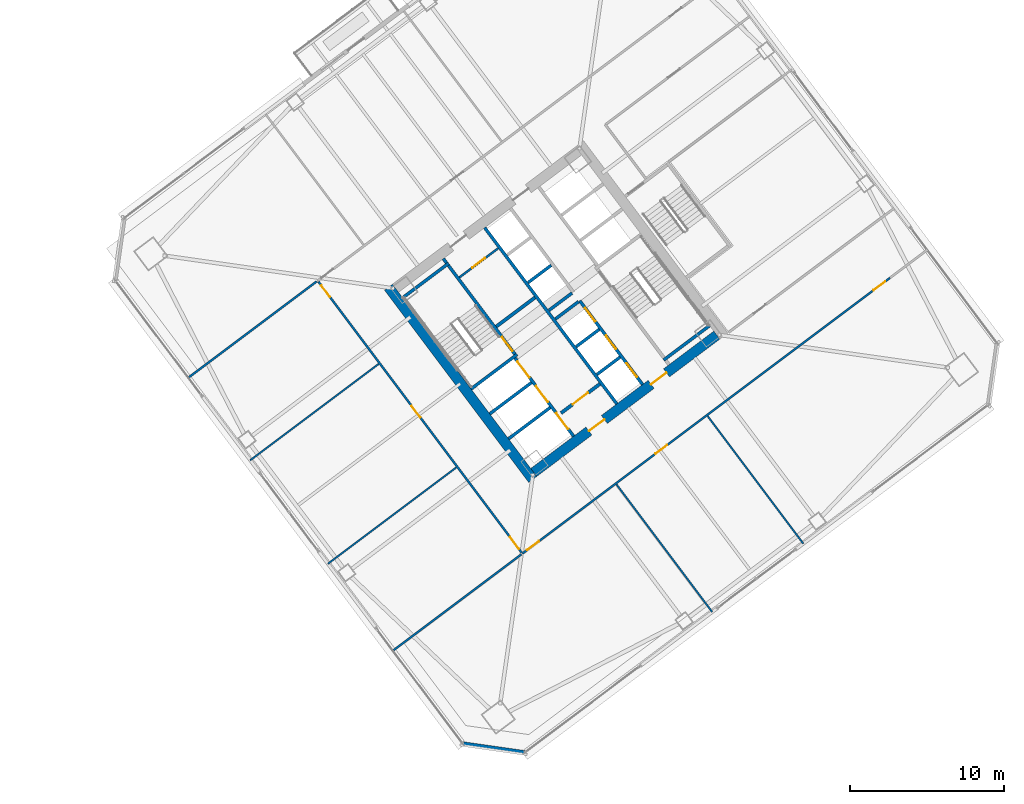
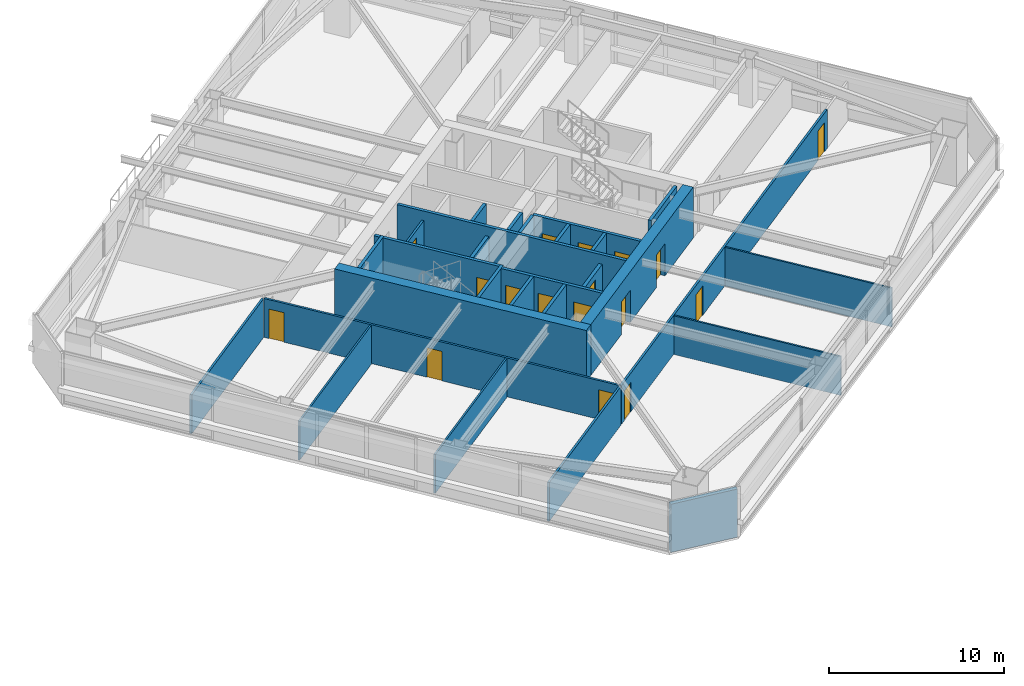
# One storey, part 35 of 45: 28 walls, 17 doors, 17 openings.
"""IFC4 building model written with IfcOpenShell, lengths in metres."""

from ifc_helpers import new_model, si_unit, direction, frame, frame_2d, origin, place, context, subcontext, project, spatial, rectangle, extrude, material, layer, layer_set, type_object, element, fill, save


model = new_model("IFC4")

# Units and contexts
model_context = context("Model", 3, precision=1e-05, world=origin(), true_north=direction((0.0, 1.0)))
body_context = subcontext(model_context, "Body", "Model", "MODEL_VIEW")
ifc_project = project(units=[si_unit("LENGTHUNIT", "METRE"), si_unit("AREAUNIT", "SQUARE_METRE"), si_unit("VOLUMEUNIT", "CUBIC_METRE"), si_unit("PLANEANGLEUNIT", "RADIAN"), si_unit("MASSUNIT", "GRAM", prefix="KILO")], contexts=[model_context])

# Site, building, storey
site_placement = place(None, origin())
site = spatial("IfcSite", under=ifc_project, at=site_placement, CompositionType="ELEMENT")
building_placement = place(site_placement, origin())
building = spatial("IfcBuilding", under=site, at=building_placement, Name="Tashvorn Skyway Center", CompositionType="ELEMENT")
storey_placement = place(building_placement, frame((0.0, 0.0, 35.25)))
storey = spatial("IfcBuildingStorey", under=building, at=storey_placement, Name="L08", CompositionType="ELEMENT", Elevation=35.25)

# Wall
ifc_material_1 = material(Name="Concrete C60/75", Category="concrete")
ifc_layer_1 = layer(ifc_material_1, 0.64990234375)
ifc_layer_set_1 = layer_set([ifc_layer_1], Name="Concrete C60/75")
wall_type_1 = type_object("IfcWallType", Name="WALL-CORE-650", PredefinedType="SHEAR", material=ifc_layer_set_1)
wall_1_placement = place(storey_placement, frame((112.47607421875, 21.10693359375, 0.0), z_axis=(0.0, 0.0, 1.0), x_axis=(-0.600005007985, 0.799996243986, 0.0)))
element("IfcWall", 1, at=wall_1_placement, inside=storey, type_object=wall_type_1, Name="Tower 2 L08 West Core Shear Wall", PredefinedType="SHEAR", context=body_context, shape_type="SweptSolid", body=[
    extrude(rectangle(XDim=15.60009765625, YDim=0.64990234375, at=frame_2d((7.800048828125, 0.0))), origin(), (0.0, 0.0, 1.0), 3.550048828125),
])

# Wall, openings, doors
wall_2_placement = place(storey_placement, frame((124.428955078125, 30.47802734375, 0.0), z_axis=(0.0, 0.0, 1.0), x_axis=(-0.799998028465, -0.600002628705, 0.0)))
wall_2 = element("IfcWall", 2, at=wall_2_placement, inside=storey, type_object=wall_type_1, Name="Tower 2 L08 South Core Shear Wall", PredefinedType="SHEAR", context=body_context, shape_type="SweptSolid", body=[
    extrude(rectangle(XDim=14.85986328125, YDim=0.64990234375, at=frame_2d((7.429931640625, 0.0))), origin(), (0.0, 0.0, 1.0), 3.550048828125),
])
opening_1_placement = place(wall_2_placement, frame((9.1298828125, 0.0, 0.0)))
opening_1 = element("IfcOpeningElement", 3, at=opening_1_placement, cuts=wall_2, Name="Opening D-FFL-1250", PredefinedType="OPENING", context=body_context, shape_type="SweptSolid", body=[
    extrude(rectangle(XDim=1.25, YDim=2.25, at=frame_2d((0.625, 1.125))), frame((0.0, 0.3349609375, 0.0), z_axis=(0.0, -1.0, 0.0), x_axis=(1.0, 0.0, 0.0)), (0.0, 0.0, 1.0), 0.669921875),
])
opening_2_placement = place(wall_2_placement, frame((4.080078125, 0.0, 0.0)))
opening_2 = element("IfcOpeningElement", 4, at=opening_2_placement, cuts=wall_2, Name="Opening D-FFL-1250", PredefinedType="OPENING", context=body_context, shape_type="SweptSolid", body=[
    extrude(rectangle(XDim=1.25, YDim=2.25, at=frame_2d((0.625, 1.125))), frame((0.0, 0.3349609375, 0.0), z_axis=(0.0, -1.0, 0.0), x_axis=(1.0, 0.0, 0.0)), (0.0, 0.0, 1.0), 0.669921875),
])
ifc_material_2 = material(Name="Hollow galvanized steel fire door assembly", Category="steel")
door_type_1 = type_object("IfcDoorType", Name="DOOR-FFL-1250", OperationType="NOTDEFINED", PredefinedType="DOOR", material=ifc_material_2)
door_1_placement = place(opening_1_placement, origin())
door_1 = element("IfcDoor", 5, at=door_1_placement, inside=storey, type_object=door_type_1, Name="Tower 2 L08 Core South Firefighting Exit Door", OperationType="SINGLE_SWING_LEFT", OverallHeight=2.25, OverallWidth=1.25, PredefinedType="DOOR", context=body_context, shape_type="SweptSolid", body=[
    extrude(rectangle(XDim=1.25, YDim=2.25, at=frame_2d((0.625, 1.125))), frame((0.0, 0.02490234375, 0.0), z_axis=(0.0, -1.0, 0.0), x_axis=(1.0, 0.0, 0.0)), (0.0, 0.0, 1.0), 0.050048828125),
])
fill(opening_1, door_1)
door_2_placement = place(opening_2_placement, origin())
door_2 = element("IfcDoor", 6, at=door_2_placement, inside=storey, type_object=door_type_1, Name="Tower 2 L08 Core South Lift Lobby Door", OperationType="SINGLE_SWING_RIGHT", OverallHeight=2.25, OverallWidth=1.25, PredefinedType="DOOR", context=body_context, shape_type="SweptSolid", body=[
    extrude(rectangle(XDim=1.25, YDim=2.25, at=frame_2d((0.625, 1.125))), frame((0.0, 0.02490234375, 0.0), z_axis=(0.0, -1.0, 0.0), x_axis=(1.0, 0.0, 0.0)), (0.0, 0.0, 1.0), 0.050048828125),
])
fill(opening_2, door_2)

# Walls
ifc_material_3 = material(Name="Precast concrete C40/50", Category="concrete")
ifc_layer_2 = layer(ifc_material_3, 0.280029296875)
ifc_layer_set_2 = layer_set([ifc_layer_2], Name="Precast concrete C40/50")
wall_type_2 = type_object("IfcWallType", Name="WALL-EXT-280", PredefinedType="SOLIDWALL", material=ifc_layer_set_2)
wall_3_placement = place(storey_placement, frame((111.97998046875, 3.360107421875, 0.0), z_axis=(0.0, 0.0, 1.0), x_axis=(-0.989955445613, 0.14137968631, 0.0)))
element("IfcWall", 7, at=wall_3_placement, inside=storey, type_object=wall_type_2, Name="Tower 2 L08 SW Precast Chamfer Wall", PredefinedType="SOLIDWALL", context=body_context, shape_type="SweptSolid", body=[
    extrude(rectangle(XDim=4.101318359375, YDim=0.280029296875, at=frame_2d((2.05078125, 0.0))), origin(), (0.0, 0.0, 1.0), 3.35009765625),
])
ifc_material_4 = material(Name="Concrete C40/50", Category="concrete")
ifc_layer_3 = layer(ifc_material_4, 0.219970703125)
ifc_layer_set_3 = layer_set([ifc_layer_3], Name="Concrete C40/50")
wall_type_3 = type_object("IfcWallType", Name="WALL-FFL-220", PredefinedType="SOLIDWALL", material=ifc_layer_set_3)
wall_4_placement = place(storey_placement, frame((110.10400390625, 31.028076171875, 0.0), z_axis=(0.0, 0.0, 1.0), x_axis=(0.800018601094, 0.59997519774, 0.0)))
element("IfcWall", 8, at=wall_4_placement, inside=storey, type_object=wall_type_3, Name="Tower 2 L08 Firefighting Lobby North Wall", PredefinedType="SOLIDWALL", context=body_context, shape_type="SweptSolid", body=[
    extrude(rectangle(XDim=3.14990234375, YDim=0.219970703125, at=frame_2d((1.574951171875, 0.0))), origin(), (0.0, 0.0, 1.0), 2.702880859375),
])

# Wall, opening, door
wall_5_placement = place(storey_placement, frame((114.31591796875, 25.412109375, 0.0), z_axis=(0.0, 0.0, 1.0), x_axis=(0.800018601094, 0.59997519774, 0.0)))
wall_5 = element("IfcWall", 9, at=wall_5_placement, inside=storey, type_object=wall_type_3, Name="Tower 2 L08 Firefighting Lobby South Wall", PredefinedType="SOLIDWALL", context=body_context, shape_type="SweptSolid", body=[
    extrude(rectangle(XDim=3.14990234375, YDim=0.219970703125, at=frame_2d((1.574951171875, 0.0))), origin(), (0.0, 0.0, 1.0), 2.702880859375),
])
opening_3_placement = place(wall_5_placement, frame((0.949951171875, 0.0, 0.0)))
opening_3 = element("IfcOpeningElement", 10, at=opening_3_placement, cuts=wall_5, Name="Opening D-FFL-1250", PredefinedType="OPENING", context=body_context, shape_type="SweptSolid", body=[
    extrude(rectangle(XDim=1.25, YDim=2.25, at=frame_2d((0.625, 1.125))), frame((0.0, 0.119873046875, 0.0), z_axis=(0.0, -1.0, 0.0), x_axis=(1.0, 0.0, 0.0)), (0.0, 0.0, 1.0), 0.239990234375),
])
door_3_placement = place(opening_3_placement, origin())
door_3 = element("IfcDoor", 11, at=door_3_placement, inside=storey, type_object=door_type_1, Name="Tower 2 L08 Firefighting Lobby Egress Door", OperationType="SINGLE_SWING_LEFT", OverallHeight=2.25, OverallWidth=1.25, PredefinedType="DOOR", context=body_context, shape_type="SweptSolid", body=[
    extrude(rectangle(XDim=1.25, YDim=2.25, at=frame_2d((0.625, 1.125))), frame((0.0, 0.02490234375, 0.0), z_axis=(0.0, -1.0, 0.0), x_axis=(1.0, 0.0, 0.0)), (0.0, 0.0, 1.0), 0.050048828125),
])
fill(opening_3, door_3)

# Walls
ifc_material_5 = material(Name="Gypsum board on cold-formed steel stud framing", Category="steel")
ifc_layer_4 = layer(ifc_material_5, 0.110107421875)
ifc_layer_set_4 = layer_set([ifc_layer_4], Name="Gypsum board on cold-formed steel stud framing")
wall_type_4 = type_object("IfcWallType", Name="WALL-PART-110", PredefinedType="PARTITIONING", material=ifc_layer_set_4)
wall_6_placement = place(storey_placement, frame((124.1279296875, 12.49609375, 0.0), z_axis=(0.0, 0.0, 1.0), x_axis=(-0.600007548425, 0.799994338626, 0.0)))
element("IfcWall", 12, at=wall_6_placement, inside=storey, type_object=wall_type_4, Name="Tower 2 L08 South Suite Partition 1", PredefinedType="PARTITIONING", context=body_context, shape_type="SweptSolid", body=[
    extrude(rectangle(XDim=10.349853515625, YDim=0.110107421875, at=frame_2d((5.1748046875, 0.0))), origin(), (0.0, 0.0, 1.0), 2.702880859375),
])
wall_7_placement = place(storey_placement, frame((130.048095703125, 16.93603515625, 0.0), z_axis=(0.0, 0.0, 1.0), x_axis=(-0.600011322243, 0.799991508192, 0.0)))
element("IfcWall", 13, at=wall_7_placement, inside=storey, type_object=wall_type_4, Name="Tower 2 L08 South Suite Partition 2", PredefinedType="PARTITIONING", context=body_context, shape_type="SweptSolid", body=[
    extrude(rectangle(XDim=10.35009765625, YDim=0.110107421875, at=frame_2d((5.175048828125, 0.0))), origin(), (0.0, 0.0, 1.0), 2.702880859375),
])
for number, where, z_axis, x_axis, name in (
    (14, (99.176025390625, 15.632080078125, 0.0), (0.0, 0.0, 1.0), (0.8, 0.6, 0.0), "Tower 2 L08 West Suite Partition 1"),
    (15, (94.135986328125, 22.35205078125, 0.0), (0.0, 0.0, 1.0), (0.8, 0.6, 0.0), "Tower 2 L08 West Suite Partition 2"),
):
    element("IfcWall", number, at=place(storey_placement, frame(where, z_axis=z_axis, x_axis=x_axis)), inside=storey, type_object=wall_type_4, Name=name, PredefinedType="PARTITIONING", context=body_context, shape_type="SweptSolid", body=[
        extrude(rectangle(XDim=10.419921875, YDim=0.110107421875, at=frame_2d((5.2099609375, 0.0))), origin(), (0.0, 0.0, 1.0), 2.702880859375),
    ])

# Wall, openings, doors
ifc_layer_5 = layer(ifc_material_5, 0.135009765625)
ifc_layer_set_5 = layer_set([ifc_layer_5], Name="Gypsum board on cold-formed steel stud framing")
wall_type_5 = type_object("IfcWallType", Name="WALL-PART-135", PredefinedType="PARTITIONING", material=ifc_layer_set_5)
wall_8_placement = place(storey_placement, frame((135.669921875, 34.18994140625, 0.0), z_axis=(0.0, 0.0, 1.0), x_axis=(-0.800000982127, -0.599998690494, 0.0)))
wall_8 = element("IfcWall", 16, at=wall_8_placement, inside=storey, type_object=wall_type_5, Name="Tower 2 L08 South Suite Wall", PredefinedType="PARTITIONING", context=body_context, shape_type="SweptSolid", body=[
    extrude(rectangle(XDim=29.830078125, YDim=0.135009765625, at=frame_2d((14.9150390625, 0.0))), origin(), (0.0, 0.0, 1.0), 2.702880859375),
])
opening_4_placement = place(wall_8_placement, frame((28.5, 0.0, 0.0)))
opening_4 = element("IfcOpeningElement", 17, at=opening_4_placement, cuts=wall_8, Name="Opening D-INT-950", PredefinedType="OPENING", context=body_context, shape_type="SweptSolid", body=[
    extrude(rectangle(XDim=0.949951171875, YDim=2.050048828125, at=frame_2d((0.47509765625, 1.02490234375))), frame((0.0, 0.077392578125, 0.0), z_axis=(0.0, -1.0, 0.0), x_axis=(1.0, 0.0, 0.0)), (0.0, 0.0, 1.0), 0.155029296875),
])
opening_5_placement = place(wall_8_placement, frame((18.074951171875, 0.0, 0.0)))
opening_5 = element("IfcOpeningElement", 18, at=opening_5_placement, cuts=wall_8, Name="Opening D-INT-950", PredefinedType="OPENING", context=body_context, shape_type="SweptSolid", body=[
    extrude(rectangle(XDim=0.949951171875, YDim=2.050048828125, at=frame_2d((0.47509765625, 1.02490234375))), frame((0.0, 0.077392578125, 0.0), z_axis=(0.0, -1.0, 0.0), x_axis=(1.0, 0.0, 0.0)), (0.0, 0.0, 1.0), 0.155029296875),
])
opening_6_placement = place(wall_8_placement, frame((0.3798828125, 0.0, 0.0)))
opening_6 = element("IfcOpeningElement", 19, at=opening_6_placement, cuts=wall_8, Name="Opening D-INT-950", PredefinedType="OPENING", context=body_context, shape_type="SweptSolid", body=[
    extrude(rectangle(XDim=0.949951171875, YDim=2.050048828125, at=frame_2d((0.47509765625, 1.02490234375))), frame((0.0, 0.077392578125, 0.0), z_axis=(0.0, -1.0, 0.0), x_axis=(1.0, 0.0, 0.0)), (0.0, 0.0, 1.0), 0.155029296875),
])
ifc_material_6 = material(Name="Solid-core architectural oak veneer door")
door_type_2 = type_object("IfcDoorType", Name="DOOR-INT-950", OperationType="NOTDEFINED", PredefinedType="DOOR", material=ifc_material_6)
door_4_placement = place(opening_4_placement, origin())
door_4 = element("IfcDoor", 20, at=door_4_placement, inside=storey, type_object=door_type_2, Name="Tower 2 L08 Open Plan Office Door", OperationType="SINGLE_SWING_LEFT", OverallHeight=2.050048828125, OverallWidth=0.949951171875, PredefinedType="DOOR", context=body_context, shape_type="SweptSolid", body=[
    extrude(rectangle(XDim=0.949951171875, YDim=2.050048828125, at=frame_2d((0.47509765625, 1.02490234375))), frame((0.0, 0.02490234375, 0.0), z_axis=(0.0, -1.0, 0.0), x_axis=(1.0, 0.0, 0.0)), (0.0, 0.0, 1.0), 0.050048828125),
])
fill(opening_4, door_4)
door_5_placement = place(opening_5_placement, origin())
door_5 = element("IfcDoor", 21, at=door_5_placement, inside=storey, type_object=door_type_2, Name="Tower 2 L08 Design Studio Door", OperationType="SINGLE_SWING_RIGHT", OverallHeight=2.050048828125, OverallWidth=0.949951171875, PredefinedType="DOOR", context=body_context, shape_type="SweptSolid", body=[
    extrude(rectangle(XDim=0.949951171875, YDim=2.050048828125, at=frame_2d((0.47509765625, 1.02490234375))), frame((0.0, 0.02490234375, 0.0), z_axis=(0.0, -1.0, 0.0), x_axis=(1.0, 0.0, 0.0)), (0.0, 0.0, 1.0), 0.050048828125),
])
fill(opening_5, door_5)
door_6_placement = place(opening_6_placement, origin())
door_6 = element("IfcDoor", 22, at=door_6_placement, inside=storey, type_object=door_type_2, Name="Tower 2 L08 Design Studio Door", OperationType="SINGLE_SWING_LEFT", OverallHeight=2.050048828125, OverallWidth=0.949951171875, PredefinedType="DOOR", context=body_context, shape_type="SweptSolid", body=[
    extrude(rectangle(XDim=0.949951171875, YDim=2.050048828125, at=frame_2d((0.47509765625, 1.02490234375))), frame((0.0, 0.02490234375, 0.0), z_axis=(0.0, -1.0, 0.0), x_axis=(1.0, 0.0, 0.0)), (0.0, 0.0, 1.0), 0.050048828125),
])
fill(opening_6, door_6)

wall_9_placement = place(storey_placement, frame((111.758056640625, 16.35595703125, 0.0), z_axis=(0.0, 0.0, 1.0), x_axis=(-0.600001776367, 0.799998667722, 0.0)))
wall_9 = element("IfcWall", 23, at=wall_9_placement, inside=storey, type_object=wall_type_5, Name="Tower 2 L08 West Inner Suite Wall", PredefinedType="PARTITIONING", context=body_context, shape_type="SweptSolid", body=[
    extrude(rectangle(XDim=21.989990234375, YDim=0.135009765625, at=frame_2d((10.9951171875, 0.0))), origin(), (0.0, 0.0, 1.0), 2.702880859375),
])
opening_7_placement = place(wall_9_placement, frame((0.300048828125, 0.0, 0.0)))
opening_7 = element("IfcOpeningElement", 24, at=opening_7_placement, cuts=wall_9, Name="Opening D-INT-950", PredefinedType="OPENING", context=body_context, shape_type="SweptSolid", body=[
    extrude(rectangle(XDim=0.949951171875, YDim=2.050048828125, at=frame_2d((0.47509765625, 1.02490234375))), frame((0.0, 0.077392578125, 0.0), z_axis=(0.0, -1.0, 0.0), x_axis=(1.0, 0.0, 0.0)), (0.0, 0.0, 1.0), 0.155029296875),
])
opening_8_placement = place(wall_9_placement, frame((10.952392578125, 0.0, 0.0)))
opening_8 = element("IfcOpeningElement", 25, at=opening_8_placement, cuts=wall_9, Name="Opening D-INT-950", PredefinedType="OPENING", context=body_context, shape_type="SweptSolid", body=[
    extrude(rectangle(XDim=0.949951171875, YDim=2.050048828125, at=frame_2d((0.47509765625, 1.02490234375))), frame((0.0, 0.077392578125, 0.0), z_axis=(0.0, -1.0, 0.0), x_axis=(1.0, 0.0, 0.0)), (0.0, 0.0, 1.0), 0.155029296875),
])
opening_9_placement = place(wall_9_placement, frame((20.739990234375, 0.0, 0.0)))
opening_9 = element("IfcOpeningElement", 26, at=opening_9_placement, cuts=wall_9, Name="Opening D-INT-950", PredefinedType="OPENING", context=body_context, shape_type="SweptSolid", body=[
    extrude(rectangle(XDim=0.949951171875, YDim=2.050048828125, at=frame_2d((0.47509765625, 1.02490234375))), frame((0.0, 0.077392578125, 0.0), z_axis=(0.0, -1.0, 0.0), x_axis=(1.0, 0.0, 0.0)), (0.0, 0.0, 1.0), 0.155029296875),
])
door_7_placement = place(opening_7_placement, origin())
door_7 = element("IfcDoor", 27, at=door_7_placement, inside=storey, type_object=door_type_2, Name="Tower 2 L08 Staff Fitness Club Door", OperationType="SINGLE_SWING_RIGHT", OverallHeight=2.050048828125, OverallWidth=0.949951171875, PredefinedType="DOOR", context=body_context, shape_type="SweptSolid", body=[
    extrude(rectangle(XDim=0.949951171875, YDim=2.050048828125, at=frame_2d((0.47509765625, 1.02490234375))), frame((0.0, 0.02490234375, 0.0), z_axis=(0.0, -1.0, 0.0), x_axis=(1.0, 0.0, 0.0)), (0.0, 0.0, 1.0), 0.050048828125),
])
fill(opening_7, door_7)
door_8_placement = place(opening_8_placement, origin())
door_8 = element("IfcDoor", 28, at=door_8_placement, inside=storey, type_object=door_type_2, Name="Tower 2 L08 Open Plan Office Door", OperationType="SINGLE_SWING_LEFT", OverallHeight=2.050048828125, OverallWidth=0.949951171875, PredefinedType="DOOR", context=body_context, shape_type="SweptSolid", body=[
    extrude(rectangle(XDim=0.949951171875, YDim=2.050048828125, at=frame_2d((0.47509765625, 1.02490234375))), frame((0.0, 0.02490234375, 0.0), z_axis=(0.0, -1.0, 0.0), x_axis=(1.0, 0.0, 0.0)), (0.0, 0.0, 1.0), 0.050048828125),
])
fill(opening_8, door_8)
door_9_placement = place(opening_9_placement, origin())
door_9 = element("IfcDoor", 29, at=door_9_placement, inside=storey, type_object=door_type_2, Name="Tower 2 L08 Design Studio Door", OperationType="SINGLE_SWING_RIGHT", OverallHeight=2.050048828125, OverallWidth=0.949951171875, PredefinedType="DOOR", context=body_context, shape_type="SweptSolid", body=[
    extrude(rectangle(XDim=0.949951171875, YDim=2.050048828125, at=frame_2d((0.47509765625, 1.02490234375))), frame((0.0, 0.02490234375, 0.0), z_axis=(0.0, -1.0, 0.0), x_axis=(1.0, 0.0, 0.0)), (0.0, 0.0, 1.0), 0.050048828125),
])
fill(opening_9, door_9)

# Walls
wall_10_placement = place(storey_placement, frame((98.451904296875, 33.964111328125, 0.0), z_axis=(0.0, 0.0, 1.0), x_axis=(-0.799988753532, -0.600014994998, 0.0)))
element("IfcWall", 30, at=wall_10_placement, inside=storey, type_object=wall_type_5, Name="Tower 2 L08 West Suite North Wall", PredefinedType="PARTITIONING", context=body_context, shape_type="SweptSolid", body=[
    extrude(rectangle(XDim=10.420166015625, YDim=0.135009765625, at=frame_2d((5.2099609375, 0.0))), origin(), (0.0, 0.0, 1.0), 2.702880859375),
])
wall_11_placement = place(storey_placement, frame((103.406005859375, 9.991943359375, 0.0), z_axis=(0.0, 0.0, 1.0), x_axis=(0.8, 0.6, 0.0)))
element("IfcWall", 31, at=wall_11_placement, inside=storey, type_object=wall_type_5, Name="Tower 2 L08 West Suite South Wall", PredefinedType="PARTITIONING", context=body_context, shape_type="SweptSolid", body=[
    extrude(rectangle(XDim=10.419921875, YDim=0.135009765625, at=frame_2d((5.2099609375, 0.0))), origin(), (0.0, 0.0, 1.0), 2.702880859375),
])

# Wall, opening, door
ifc_layer_6 = layer(ifc_material_5, 0.135009765625)
ifc_layer_set_6 = layer_set([ifc_layer_6], Name="Gypsum board on cold-formed steel stud framing")
wall_type_6 = type_object("IfcWallType", Name="WALL-RATED-135", PredefinedType="PARTITIONING", material=ifc_layer_set_6)
wall_12_placement = place(storey_placement, frame((107.7099609375, 34.219970703125, 0.0), z_axis=(0.0, 0.0, 1.0), x_axis=(0.799981399002, 0.60002480053, 0.0)))
wall_12 = element("IfcWall", 32, at=wall_12_placement, inside=storey, type_object=wall_type_6, Name="Tower 2 L08 Core Service Lobby Wall", PredefinedType="PARTITIONING", context=body_context, shape_type="SweptSolid", body=[
    extrude(rectangle(XDim=3.150146484375, YDim=0.135009765625, at=frame_2d((1.5751953125, 0.0))), origin(), (0.0, 0.0, 1.0), 2.702880859375),
])
opening_10_placement = place(wall_12_placement, frame((1.050048828125, 0.0, 0.0)))
opening_10 = element("IfcOpeningElement", 33, at=opening_10_placement, cuts=wall_12, Name="Opening D-RT-1050", PredefinedType="OPENING", context=body_context, shape_type="SweptSolid", body=[
    extrude(rectangle(XDim=1.050048828125, YDim=2.199951171875, at=frame_2d((0.52490234375, 1.10009765625))), frame((0.0, 0.077392578125, 0.0), z_axis=(0.0, -1.0, 0.0), x_axis=(1.0, 0.0, 0.0)), (0.0, 0.0, 1.0), 0.155029296875),
])
door_type_3 = type_object("IfcDoorType", Name="DOOR-RATED-1050", OperationType="NOTDEFINED", PredefinedType="DOOR", material=ifc_material_2)
door_10_placement = place(opening_10_placement, origin())
door_10 = element("IfcDoor", 34, at=door_10_placement, inside=storey, type_object=door_type_3, Name="Tower 2 L08 Core Accessible WC Door", OperationType="SINGLE_SWING_LEFT", OverallHeight=2.199951171875, OverallWidth=1.050048828125, PredefinedType="DOOR", context=body_context, shape_type="SweptSolid", body=[
    extrude(rectangle(XDim=1.050048828125, YDim=2.199951171875, at=frame_2d((0.52490234375, 1.10009765625))), frame((0.0, 0.02490234375, 0.0), z_axis=(0.0, -1.0, 0.0), x_axis=(1.0, 0.0, 0.0)), (0.0, 0.0, 1.0), 0.050048828125),
])
fill(opening_10, door_10)

# Walls
ifc_layer_7 = layer(ifc_material_4, 0.199951171875)
ifc_layer_set_7 = layer_set([ifc_layer_7], Name="Concrete C40/50")
wall_type_7 = type_object("IfcWallType", Name="WALL-SHAFT-200", PredefinedType="SOLIDWALL", material=ifc_layer_set_7)
for number, where, z_axis, x_axis, name in (
    (35, (110.906005859375, 23.741943359375, 0.0), (0.0, 0.0, 1.0), (0.8, 0.6, 0.0), "Tower 2 L08 FSAE Shaft Divider"),
    (36, (109.68798828125, 25.365966796875, 0.0), (0.0, 0.0, 1.0), (0.8, 0.6, 0.0), "Tower 2 L08 FSAE Shaft Divider"),
):
    element("IfcWall", number, at=place(storey_placement, frame(where, z_axis=z_axis, x_axis=x_axis)), inside=storey, type_object=wall_type_7, Name=name, PredefinedType="SOLIDWALL", context=body_context, shape_type="SweptSolid", body=[
        extrude(rectangle(XDim=3.380126953125, YDim=0.199951171875, at=frame_2d((1.68994140625, 0.0))), origin(), (0.0, 0.0, 1.0), 3.35009765625),
    ])

# Wall, openings, doors
wall_13_placement = place(storey_placement, frame((119.610107421875, 27.27001953125, 0.0), z_axis=(0.0, 0.0, 1.0), x_axis=(-0.600011488909, 0.79999138319, 0.0)))
wall_13 = element("IfcWall", 37, at=wall_13_placement, inside=storey, type_object=wall_type_7, Name="Tower 2 L08 Low-Rise Core Wall", PredefinedType="SOLIDWALL", context=body_context, shape_type="SweptSolid", body=[
    extrude(rectangle(XDim=6.800048828125, YDim=0.199951171875, at=frame_2d((3.39990234375, 0.0))), origin(), (0.0, 0.0, 1.0), 3.35009765625),
])
opening_11_placement = place(wall_13_placement, frame((0.625, 0.0, 0.0)))
opening_11 = element("IfcOpeningElement", 38, at=opening_11_placement, cuts=wall_13, Name="Opening LD-LR-T2-1-L08", PredefinedType="OPENING", context=body_context, shape_type="SweptSolid", body=[
    extrude(rectangle(XDim=1.10009765625, YDim=2.199951171875, at=frame_2d((0.550048828125, 1.10009765625))), frame((0.0, 0.10986328125, 0.0), z_axis=(0.0, -1.0, 0.0), x_axis=(1.0, 0.0, 0.0)), (0.0, 0.0, 1.0), 0.219970703125),
])
opening_12_placement = place(wall_13_placement, frame((2.875, 0.0, 0.0)))
opening_12 = element("IfcOpeningElement", 39, at=opening_12_placement, cuts=wall_13, Name="Opening LD-LR-T2-2-L08", PredefinedType="OPENING", context=body_context, shape_type="SweptSolid", body=[
    extrude(rectangle(XDim=1.10009765625, YDim=2.199951171875, at=frame_2d((0.550048828125, 1.10009765625))), frame((0.0, 0.10986328125, 0.0), z_axis=(0.0, -1.0, 0.0), x_axis=(1.0, 0.0, 0.0)), (0.0, 0.0, 1.0), 0.219970703125),
])
opening_13_placement = place(wall_13_placement, frame((5.125, 0.0, 0.0)))
opening_13 = element("IfcOpeningElement", 40, at=opening_13_placement, cuts=wall_13, Name="Opening LD-LR-T2-3-L08", PredefinedType="OPENING", context=body_context, shape_type="SweptSolid", body=[
    extrude(rectangle(XDim=1.10009765625, YDim=2.199951171875, at=frame_2d((0.550048828125, 1.10009765625))), frame((0.0, 0.10986328125, 0.0), z_axis=(0.0, -1.0, 0.0), x_axis=(1.0, 0.0, 0.0)), (0.0, 0.0, 1.0), 0.219970703125),
])
ifc_material_7 = material(Name="Stainless steel landing door", Category="steel")
door_type_4 = type_object("IfcDoorType", Name="DOOR-LIFT-1100", OperationType="SLIDING_TO_LEFT", PredefinedType="DOOR", material=ifc_material_7)
door_11_placement = place(opening_11_placement, origin())
door_11 = element("IfcDoor", 41, at=door_11_placement, inside=storey, type_object=door_type_4, Name="Lift LR-T2-1 L08 Landing Door", OperationType="SLIDING_TO_LEFT", OverallHeight=2.199951171875, OverallWidth=1.10009765625, PredefinedType="DOOR", context=body_context, shape_type="SweptSolid", body=[
    extrude(rectangle(XDim=1.10009765625, YDim=2.199951171875, at=frame_2d((0.550048828125, 1.10009765625))), frame((0.0, 0.02490234375, 0.0), z_axis=(0.0, -1.0, 0.0), x_axis=(1.0, 0.0, 0.0)), (0.0, 0.0, 1.0), 0.050048828125),
])
fill(opening_11, door_11)
door_12_placement = place(opening_12_placement, origin())
door_12 = element("IfcDoor", 42, at=door_12_placement, inside=storey, type_object=door_type_4, Name="Lift LR-T2-2 L08 Landing Door", OperationType="SLIDING_TO_LEFT", OverallHeight=2.199951171875, OverallWidth=1.10009765625, PredefinedType="DOOR", context=body_context, shape_type="SweptSolid", body=[
    extrude(rectangle(XDim=1.10009765625, YDim=2.199951171875, at=frame_2d((0.550048828125, 1.10009765625))), frame((0.0, 0.02490234375, 0.0), z_axis=(0.0, -1.0, 0.0), x_axis=(1.0, 0.0, 0.0)), (0.0, 0.0, 1.0), 0.050048828125),
])
fill(opening_12, door_12)
door_13_placement = place(opening_13_placement, origin())
door_13 = element("IfcDoor", 43, at=door_13_placement, inside=storey, type_object=door_type_4, Name="Lift LR-T2-3 L08 Landing Door", OperationType="SLIDING_TO_LEFT", OverallHeight=2.199951171875, OverallWidth=1.10009765625, PredefinedType="DOOR", context=body_context, shape_type="SweptSolid", body=[
    extrude(rectangle(XDim=1.10009765625, YDim=2.199951171875, at=frame_2d((0.550048828125, 1.10009765625))), frame((0.0, 0.02490234375, 0.0), z_axis=(0.0, -1.0, 0.0), x_axis=(1.0, 0.0, 0.0)), (0.0, 0.0, 1.0), 0.050048828125),
])
fill(opening_13, door_13)

# Walls
wall_14_placement = place(storey_placement, frame((116.64599609375, 27.922119140625, 0.0), z_axis=(0.0, 0.0, 1.0), x_axis=(0.8, 0.6, 0.0)))
element("IfcWall", 44, at=wall_14_placement, inside=storey, type_object=wall_type_7, Name="Tower 2 L08 Low-Rise Shaft Divider", PredefinedType="SOLIDWALL", context=body_context, shape_type="SweptSolid", body=[
    extrude(rectangle(XDim=1.8798828125, YDim=0.199951171875, at=frame_2d((0.93994140625, 0.0))), origin(), (0.0, 0.0, 1.0), 3.35009765625),
])
wall_15_placement = place(storey_placement, frame((115.2958984375, 29.721923828125, 0.0), z_axis=(0.0, 0.0, 1.0), x_axis=(0.799984418148, 0.600020775241, 0.0)))
element("IfcWall", 45, at=wall_15_placement, inside=storey, type_object=wall_type_7, Name="Tower 2 L08 Low-Rise Shaft Divider", PredefinedType="SOLIDWALL", context=body_context, shape_type="SweptSolid", body=[
    extrude(rectangle(XDim=1.880126953125, YDim=0.199951171875, at=frame_2d((0.93994140625, 0.0))), origin(), (0.0, 0.0, 1.0), 3.35009765625),
])
wall_16_placement = place(storey_placement, frame((113.946044921875, 31.52197265625, 0.0), z_axis=(0.0, 0.0, 1.0), x_axis=(0.8, 0.6, 0.0)))
element("IfcWall", 46, at=wall_16_placement, inside=storey, type_object=wall_type_7, Name="Tower 2 L08 Low-Rise Shaft Divider", PredefinedType="SOLIDWALL", context=body_context, shape_type="SweptSolid", body=[
    extrude(rectangle(XDim=1.8798828125, YDim=0.199951171875, at=frame_2d((0.93994140625, 0.0))), origin(), (0.0, 0.0, 1.0), 3.35009765625),
])
wall_17_placement = place(storey_placement, frame((113.52587890625, 32.08203125, 0.0), z_axis=(0.0, 0.0, 1.0), x_axis=(0.800046745961, 0.599937666993, 0.0)))
element("IfcWall", 47, at=wall_17_placement, inside=storey, type_object=wall_type_7, Name="Tower 2 L08 Mid-Rise Shaft Divider", PredefinedType="SOLIDWALL", context=body_context, shape_type="SweptSolid", body=[
    extrude(rectangle(XDim=1.880126953125, YDim=0.199951171875, at=frame_2d((0.93994140625, 0.0))), origin(), (0.0, 0.0, 1.0), 3.35009765625),
])
wall_18_placement = place(storey_placement, frame((112.176025390625, 33.882080078125, 0.0), z_axis=(0.0, 0.0, 1.0), x_axis=(0.8, 0.6, 0.0)))
element("IfcWall", 48, at=wall_18_placement, inside=storey, type_object=wall_type_7, Name="Tower 2 L08 Mid-Rise Shaft Divider", PredefinedType="SOLIDWALL", context=body_context, shape_type="SweptSolid", body=[
    extrude(rectangle(XDim=1.8798828125, YDim=0.199951171875, at=frame_2d((0.93994140625, 0.0))), origin(), (0.0, 0.0, 1.0), 3.35009765625),
])

# Wall, opening, door
ifc_layer_8 = layer(ifc_material_4, 0.199951171875)
ifc_layer_set_8 = layer_set([ifc_layer_8], Name="Concrete C40/50")
wall_type_8 = type_object("IfcWallType", Name="WALL-STSHF-200", PredefinedType="SHEAR", material=ifc_layer_set_8)
wall_19_placement = place(storey_placement, frame((111.43994140625, 29.080078125, 0.0), z_axis=(0.0, 0.0, 1.0), x_axis=(-0.600009827119, 0.799992629566, 0.0)))
wall_19 = element("IfcWall", 49, at=wall_19_placement, inside=storey, type_object=wall_type_8, Name="Tower 2 L08 Stair 1 Enclosure Wall", PredefinedType="SHEAR", context=body_context, shape_type="SweptSolid", body=[
    extrude(rectangle(XDim=7.949951171875, YDim=0.199951171875, at=frame_2d((3.97509765625, 0.0))), origin(), (0.0, 0.0, 1.0), 3.35009765625),
])
opening_14_placement = place(wall_19_placement, frame((0.449951171875, 0.0, 0.0)))
opening_14 = element("IfcOpeningElement", 50, at=opening_14_placement, cuts=wall_19, Name="Opening D-ST-1150", PredefinedType="OPENING", context=body_context, shape_type="SweptSolid", body=[
    extrude(rectangle(XDim=1.14990234375, YDim=2.199951171875, at=frame_2d((0.574951171875, 1.10009765625))), frame((0.0, 0.10986328125, 0.0), z_axis=(0.0, -1.0, 0.0), x_axis=(1.0, 0.0, 0.0)), (0.0, 0.0, 1.0), 0.219970703125),
])
door_type_5 = type_object("IfcDoorType", Name="DOOR-STAIR-1150", OperationType="NOTDEFINED", PredefinedType="DOOR", material=ifc_material_2)
door_14_placement = place(opening_14_placement, origin())
door_14 = element("IfcDoor", 51, at=door_14_placement, inside=storey, type_object=door_type_5, Name="Tower 2 L08 Exit Stair 1 Door", OperationType="SINGLE_SWING_RIGHT", OverallHeight=2.199951171875, OverallWidth=1.14990234375, PredefinedType="DOOR", context=body_context, shape_type="SweptSolid", body=[
    extrude(rectangle(XDim=1.14990234375, YDim=2.199951171875, at=frame_2d((0.574951171875, 1.10009765625))), frame((0.0, 0.02490234375, 0.0), z_axis=(0.0, -1.0, 0.0), x_axis=(1.0, 0.0, 0.0)), (0.0, 0.0, 1.0), 0.050048828125),
])
fill(opening_14, door_14)

# Walls
for number, where, z_axis, x_axis, name in (
    (52, (108.47607421875, 26.98193359375, 0.0), (0.0, 0.0, 1.0), (0.799984290658, 0.600020945218, 0.0), "Tower 2 L08 Stair 1 South Wall"),
    (53, (104.035888671875, 32.902099609375, 0.0), (0.0, 0.0, 1.0), (0.800039270442, 0.59994763584, 0.0), "Tower 2 L08 Stair 1 North Wall"),
    (54, (120.97998046875, 28.860107421875, 0.0), (0.0, 0.0, 1.0), (0.800039270442, 0.59994763584, 0.0), "Tower 2 L08 Stair 2 South Wall"),
):
    element("IfcWall", number, at=place(storey_placement, frame(where, z_axis=z_axis, x_axis=x_axis)), inside=storey, type_object=wall_type_8, Name=name, PredefinedType="SHEAR", context=body_context, shape_type="SweptSolid", body=[
        extrude(rectangle(XDim=3.72998046875, YDim=0.199951171875, at=frame_2d((1.864990234375, 0.0))), origin(), (0.0, 0.0, 1.0), 3.35009765625),
    ])
wall_20_placement = place(storey_placement, frame((117.93798828125, 26.01611328125, 0.0), z_axis=(0.0, 0.0, 1.0), x_axis=(-0.600005463273, 0.799995902516, 0.0)))
element("IfcWall", 55, at=wall_20_placement, inside=storey, type_object=wall_type_8, Name="Tower 2 L08 Firefighting Lobby East Smoke Barrier", PredefinedType="SHEAR", context=body_context, shape_type="SweptSolid", body=[
    extrude(rectangle(XDim=14.300048828125, YDim=0.199951171875, at=frame_2d((7.14990234375, 0.0))), origin(), (0.0, 0.0, 1.0), 3.35009765625),
])

# Wall, openings, doors
wall_21_placement = place(storey_placement, frame((115.1298828125, 23.909912109375, 0.0), z_axis=(0.0, 0.0, 1.0), x_axis=(-0.599975393228, 0.800018454488, 0.0)))
wall_21 = element("IfcWall", 56, at=wall_21_placement, inside=storey, type_object=wall_type_8, Name="Tower 2 L08 FSAE and Goods Shaft Front Wall", PredefinedType="SHEAR", context=body_context, shape_type="SweptSolid", body=[
    extrude(rectangle(XDim=6.349853515625, YDim=0.199951171875, at=frame_2d((3.1748046875, 0.0))), origin(), (0.0, 0.0, 1.0), 3.35009765625),
])
opening_15_placement = place(wall_21_placement, frame((4.77490234375, 0.0, 0.0)))
opening_15 = element("IfcOpeningElement", 57, at=opening_15_placement, cuts=wall_21, Name="Opening LD-FF-T2-1-L08", PredefinedType="OPENING", context=body_context, shape_type="SweptSolid", body=[
    extrude(rectangle(XDim=1.300048828125, YDim=2.25, at=frame_2d((0.64990234375, 1.125))), frame((0.0, 0.10986328125, 0.0), z_axis=(0.0, -1.0, 0.0), x_axis=(1.0, 0.0, 0.0)), (0.0, 0.0, 1.0), 0.219970703125),
])
opening_16_placement = place(wall_21_placement, frame((2.77490234375, 0.0, 0.0)))
opening_16 = element("IfcOpeningElement", 58, at=opening_16_placement, cuts=wall_21, Name="Opening LD-FF-T2-2-L08", PredefinedType="OPENING", context=body_context, shape_type="SweptSolid", body=[
    extrude(rectangle(XDim=1.300048828125, YDim=2.25, at=frame_2d((0.64990234375, 1.125))), frame((0.0, 0.10986328125, 0.0), z_axis=(0.0, -1.0, 0.0), x_axis=(1.0, 0.0, 0.0)), (0.0, 0.0, 1.0), 0.219970703125),
])
opening_17_placement = place(wall_21_placement, frame((0.574951171875, 0.0, 0.0)))
opening_17 = element("IfcOpeningElement", 59, at=opening_17_placement, cuts=wall_21, Name="Opening LD-GD-T2-1-L08", PredefinedType="OPENING", context=body_context, shape_type="SweptSolid", body=[
    extrude(rectangle(XDim=1.300048828125, YDim=2.25, at=frame_2d((0.64990234375, 1.125))), frame((0.0, 0.10986328125, 0.0), z_axis=(0.0, -1.0, 0.0), x_axis=(1.0, 0.0, 0.0)), (0.0, 0.0, 1.0), 0.219970703125),
])
ifc_material_8 = material(Name="Stainless steel heavy-duty landing door", Category="steel")
door_type_6 = type_object("IfcDoorType", Name="DOOR-LIFT-1300", OperationType="SLIDING_TO_LEFT", PredefinedType="DOOR", material=ifc_material_8)
door_15_placement = place(opening_15_placement, origin())
door_15 = element("IfcDoor", 60, at=door_15_placement, inside=storey, type_object=door_type_6, Name="Lift FF-T2-1 L08 Landing Door", OperationType="SLIDING_TO_LEFT", OverallHeight=2.25, OverallWidth=1.300048828125, PredefinedType="DOOR", context=body_context, shape_type="SweptSolid", body=[
    extrude(rectangle(XDim=1.300048828125, YDim=2.25, at=frame_2d((0.64990234375, 1.125))), frame((0.0, 0.02490234375, 0.0), z_axis=(0.0, -1.0, 0.0), x_axis=(1.0, 0.0, 0.0)), (0.0, 0.0, 1.0), 0.050048828125),
])
fill(opening_15, door_15)
door_16_placement = place(opening_16_placement, origin())
door_16 = element("IfcDoor", 61, at=door_16_placement, inside=storey, type_object=door_type_6, Name="Lift FF-T2-2 L08 Landing Door", OperationType="SLIDING_TO_LEFT", OverallHeight=2.25, OverallWidth=1.300048828125, PredefinedType="DOOR", context=body_context, shape_type="SweptSolid", body=[
    extrude(rectangle(XDim=1.300048828125, YDim=2.25, at=frame_2d((0.64990234375, 1.125))), frame((0.0, 0.02490234375, 0.0), z_axis=(0.0, -1.0, 0.0), x_axis=(1.0, 0.0, 0.0)), (0.0, 0.0, 1.0), 0.050048828125),
])
fill(opening_16, door_16)
door_17_placement = place(opening_17_placement, origin())
door_17 = element("IfcDoor", 62, at=door_17_placement, inside=storey, type_object=door_type_6, Name="Lift GD-T2-1 L08 Landing Door", OperationType="SLIDING_TO_LEFT", OverallHeight=2.25, OverallWidth=1.300048828125, PredefinedType="DOOR", context=body_context, shape_type="SweptSolid", body=[
    extrude(rectangle(XDim=1.300048828125, YDim=2.25, at=frame_2d((0.64990234375, 1.125))), frame((0.0, 0.02490234375, 0.0), z_axis=(0.0, -1.0, 0.0), x_axis=(1.0, 0.0, 0.0)), (0.0, 0.0, 1.0), 0.050048828125),
])
fill(opening_17, door_17)

save(model, "model.ifc")
